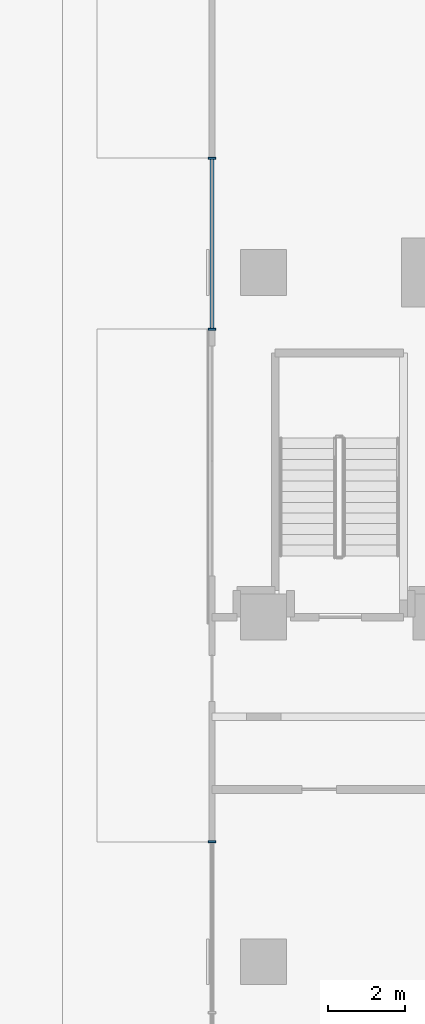
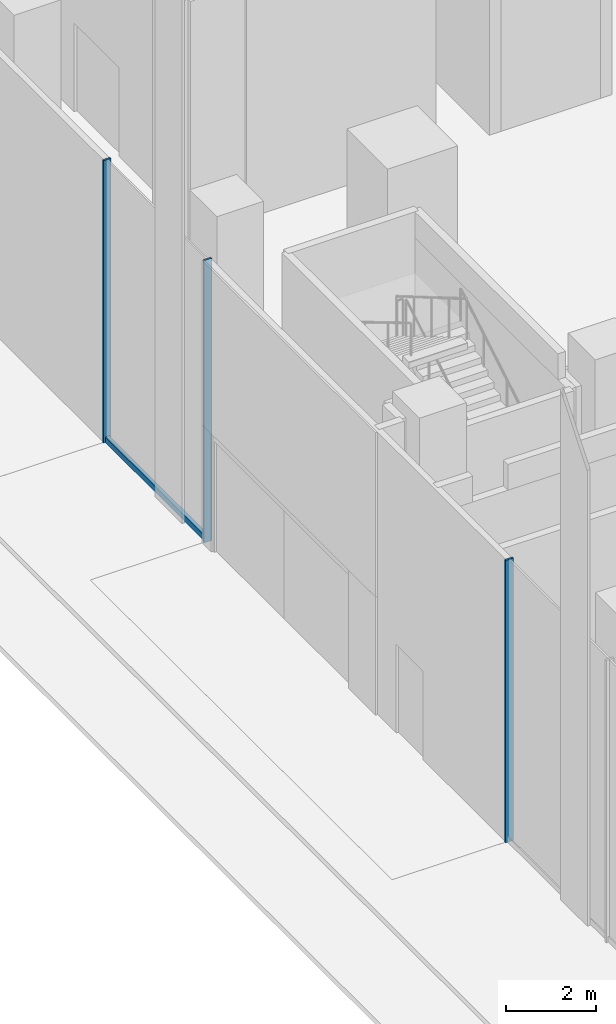
# One storey, part 7 of 42: 4 members, 2 elements without a shape of their own.
"""IFC4 building model written with IfcOpenShell, lengths in metres."""

from ifc_helpers import new_model, si_unit, direction, frame, origin, origin_2d, place, context, subcontext, project, spatial, rectangle, extrude, material, layer, layer_set, material_profile, profile_set, type_object, element, aggregate, save


model = new_model("IFC4")

# Units and contexts
model_context = context("Model", 3, precision=1e-05, world=origin(), true_north=direction((0.0, 1.0)))
body_context = subcontext(model_context, "Body", "Model", "MODEL_VIEW")
ifc_project = project(units=[si_unit("LENGTHUNIT", "METRE"), si_unit("AREAUNIT", "SQUARE_METRE"), si_unit("VOLUMEUNIT", "CUBIC_METRE"), si_unit("PLANEANGLEUNIT", "RADIAN"), si_unit("MASSUNIT", "GRAM", prefix="KILO")], contexts=[model_context])

# Site, building, storey
site_placement = place(None, origin())
site = spatial("IfcSite", under=ifc_project, at=site_placement, CompositionType="ELEMENT")
building_placement = place(site_placement, origin())
building = spatial("IfcBuilding", under=site, at=building_placement, Name="Plateau Cross Towers", CompositionType="ELEMENT")
storey_placement = place(building_placement, origin())
storey = spatial("IfcBuildingStorey", under=building, at=storey_placement, Name="L00", CompositionType="ELEMENT", Elevation=0.0)

# Curtain wall, members
ifc_material_1 = material(Name="Dark low-iron laminated glass", Category="glass")
ifc_layer = layer(ifc_material_1, 0.300048828125)
ifc_layer_set = layer_set([ifc_layer], Name="Dark low-iron laminated glass")
curtain_wall_type = type_object("IfcCurtainWallType", Name="Curtain wall structural silicone CW-C", PredefinedType="NOTDEFINED", material=ifc_layer_set)
curtain_wall_1_placement = place(storey_placement, origin())
curtain_wall_1 = element("IfcCurtainWall", 1, at=curtain_wall_1_placement, inside=storey, type_object=curtain_wall_type, Name="ENV/P/L00/P-58_390", PredefinedType="NOTDEFINED")
ifc_material_2 = material(Name="Black anodised aluminium", Category="aluminium")
ifc_material_profile_1 = material_profile(ifc_material_2, rectangle(XDim=0.050048828125, YDim=0.199951171875, at=origin_2d()), Name="MULLION 50x200")
ifc_profile_set_1 = profile_set([ifc_material_profile_1], Name="Black anodised aluminium")
member_type_1 = type_object("IfcMemberType", Name="Mullion 50x200 structural silicone", PredefinedType="MULLION", material=ifc_profile_set_1)
member_1_placement = place(storey_placement, frame((-5.85009765625, 38.989990234375, 0.0), z_axis=(0.0, 0.0, 1.0), x_axis=(0.0, -1.0, 0.0)))
member_1 = element("IfcMember", 2, at=member_1_placement, type_object=member_type_1, Name="CW-C mullion 1", PredefinedType="MULLION", context=body_context, shape_type="SweptSolid", body=[
    extrude(rectangle(XDim=0.050048828125, YDim=0.199951171875, at=origin_2d()), origin(), (0.0, 0.0, 1.0), 7.64990234375),
])
member_2_placement = place(storey_placement, frame((-5.85009765625, 34.52490234375, 0.0), z_axis=(0.0, 0.0, 1.0), x_axis=(0.0, -1.0, 0.0)))
member_2 = element("IfcMember", 3, at=member_2_placement, type_object=member_type_1, Name="CW-C mullion 2", PredefinedType="MULLION", context=body_context, shape_type="SweptSolid", body=[
    extrude(rectangle(XDim=0.050048828125, YDim=0.199951171875, at=origin_2d()), origin(), (0.0, 0.0, 1.0), 7.64990234375),
])

# Curtain wall, member
curtain_wall_2_placement = place(storey_placement, origin())
curtain_wall_2 = element("IfcCurtainWall", 4, at=curtain_wall_2_placement, inside=storey, type_object=curtain_wall_type, Name="ENV/P/L00/P-58_211", PredefinedType="NOTDEFINED")
member_3_placement = place(storey_placement, frame((-5.85009765625, 21.1298828125, 0.0), z_axis=(0.0, 0.0, 1.0), x_axis=(0.0, -1.0, 0.0)))
member_3 = element("IfcMember", 5, at=member_3_placement, type_object=member_type_1, Name="CW-C mullion 1", PredefinedType="MULLION", context=body_context, shape_type="SweptSolid", body=[
    extrude(rectangle(XDim=0.050048828125, YDim=0.199951171875, at=origin_2d()), origin(), (0.0, 0.0, 1.0), 7.64990234375),
])
aggregate(curtain_wall_2, [member_3])

# Member
ifc_material_profile_2 = material_profile(ifc_material_2, rectangle(XDim=0.10009765625, YDim=0.14990234375, at=origin_2d()), Name="TRANSOM 100x150")
ifc_profile_set_2 = profile_set([ifc_material_profile_2], Name="Black anodised aluminium")
member_type_2 = type_object("IfcMemberType", Name="Transom 100x150 structural silicone", PredefinedType="USERDEFINED", material=ifc_profile_set_2)
member_4_placement = place(storey_placement, frame((-5.85009765625, 38.989990234375, 0.074951171875), z_axis=(0.0, -1.0, 0.0), x_axis=(1.0, 0.0, 0.0)))
member_4 = element("IfcMember", 6, at=member_4_placement, type_object=member_type_2, Name="CW-C transom", ObjectType="TRANSOM", PredefinedType="USERDEFINED", context=body_context, shape_type="SweptSolid", body=[
    extrude(rectangle(XDim=0.10009765625, YDim=0.14990234375, at=origin_2d()), origin(), (0.0, 0.0, 1.0), 4.465087890625),
])

aggregate(curtain_wall_1, [member_1, member_2, member_4])

save(model, "model.ifc")
